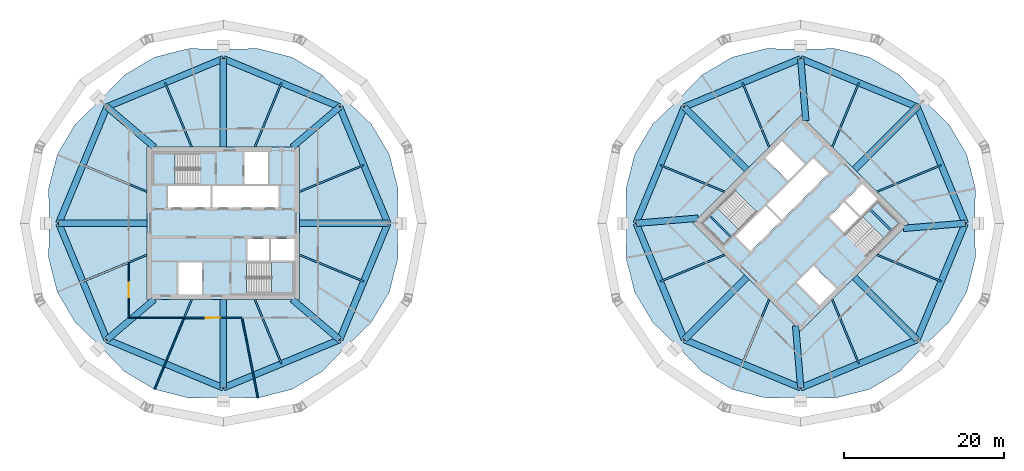
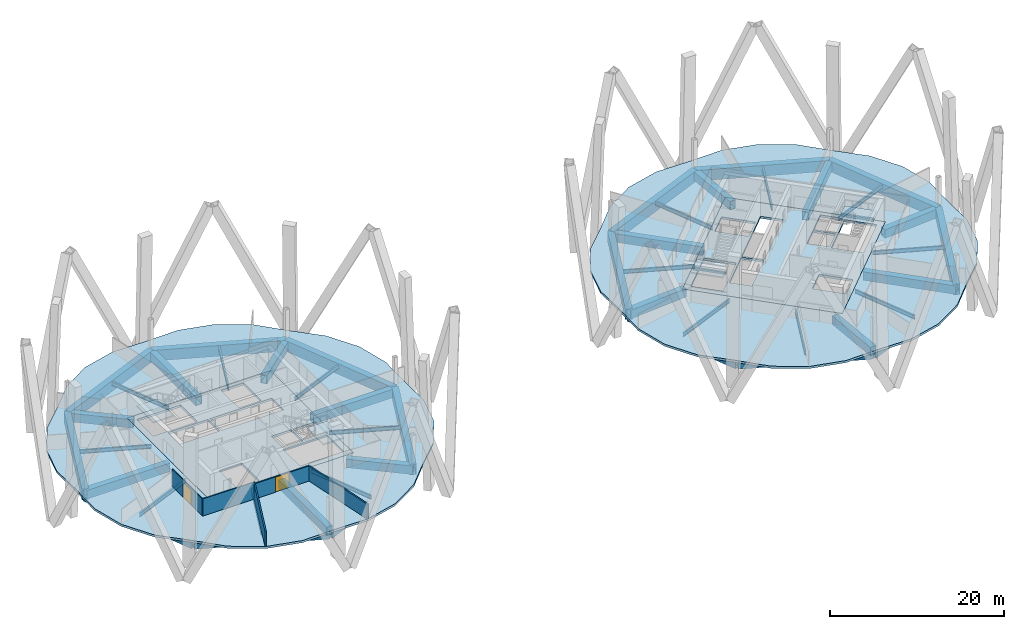
# One storey, part 3 of 10: 50 beams, 8 slabs, 5 walls, 2 doors, 2 openings, 4 elements without a shape of their own.
"""IFC4 building model written with IfcOpenShell, lengths in metres."""

from ifc_helpers import new_model, si_unit, direction, frame, frame_2d, origin, origin_2d, place, context, subcontext, project, spatial, polyline, rectangle, hollow_rectangle, i_section, outline, extrude, material, layer, layer_set, material_profile, profile_set, type_object, element, fill, aggregate, save


model = new_model("IFC4")

# Units and contexts
model_context = context("Model", 3, precision=1e-05, world=origin(), true_north=direction((0.0, 1.0)))
body_context = subcontext(model_context, "Body", "Model", "MODEL_VIEW")
ifc_project = project(units=[si_unit("LENGTHUNIT", "METRE"), si_unit("AREAUNIT", "SQUARE_METRE"), si_unit("VOLUMEUNIT", "CUBIC_METRE"), si_unit("PLANEANGLEUNIT", "RADIAN"), si_unit("MASSUNIT", "GRAM", prefix="KILO")], contexts=[model_context])

# Site, building, storey
site_placement = place(None, origin())
site = spatial("IfcSite", under=ifc_project, at=site_placement, CompositionType="ELEMENT")
building_placement = place(site_placement, origin())
building = spatial("IfcBuilding", under=site, at=building_placement, Name="Ogive Gate Towers", CompositionType="ELEMENT")
storey_placement = place(building_placement, frame((0.0, 0.0, 185.10009765625)))
storey = spatial("IfcBuildingStorey", under=building, at=storey_placement, Name="L44", CompositionType="ELEMENT", Elevation=185.10009765625)

# Beams
ifc_material_1 = material(Name="Steel SM460", Category="steel")
ifc_material_profile_1 = material_profile(ifc_material_1, hollow_rectangle(XDim=0.800048828125, YDim=1.5, WallThickness=0.06005859375, at=origin_2d()), Name="BX 1500x800x60")
ifc_profile_set_1 = profile_set([ifc_material_profile_1], Name="Steel SM460")
beam_type_1 = type_object("IfcBeamType", Name="Edge girder BX 1500x800x60", PredefinedType="BEAM", material=ifc_profile_set_1)
for number, where, z_axis, x_axis, name in (
    (1, (-50.509765625, -14.509765625, -1.050048828125), (0.923877006731, -0.38268953008, 0.0), (0.38268953008, 0.923877006731, 0.0), "T1/L44/SBM017"),
    (2, (-36.0, -20.52001953125, -1.050048828125), (0.923877006731, 0.38268953008, 0.0), (-0.38268953008, 0.923877006731, 0.0), "T1/L44/SBM018"),
    (3, (-21.490234375, -14.509765625, -1.050048828125), (0.38268953008, 0.923877006731, 0.0), (-0.923877006731, 0.38268953008, 0.0), "T1/L44/SBM019"),
    (4, (-15.47998046875, 0.0, -1.050048828125), (-0.38268953008, 0.923877006731, 0.0), (-0.923877006731, -0.38268953008, 0.0), "T1/L44/SBM020"),
    (5, (-21.490234375, 14.509765625, -1.050048828125), (-0.923877006731, 0.38268953008, 0.0), (-0.38268953008, -0.923877006731, 0.0), "T1/L44/SBM021"),
    (6, (-36.0, 20.52001953125, -1.050048828125), (-0.923877006731, -0.38268953008, 0.0), (0.38268953008, -0.923877006731, 0.0), "T1/L44/SBM022"),
    (7, (-50.509765625, 14.509765625, -1.050048828125), (-0.38268953008, -0.923877006731, 0.0), (0.923877006731, -0.38268953008, 0.0), "T1/L44/SBM023"),
    (8, (-56.52001953125, 0.0, -1.050048828125), (0.38268953008, -0.923877006731, 0.0), (0.923877006731, 0.38268953008, 0.0), "T1/L44/SBM024"),
    (9, (21.490234375, -14.509765625, -1.050048828125), (0.923877006731, -0.38268953008, 0.0), (0.38268953008, 0.923877006731, 0.0), "T2/L44/SBM017"),
    (10, (36.0, -20.52001953125, -1.050048828125), (0.923877006731, 0.38268953008, 0.0), (-0.38268953008, 0.923877006731, 0.0), "T2/L44/SBM018"),
    (11, (50.509765625, -14.509765625, -1.050048828125), (0.38268953008, 0.923877006731, 0.0), (-0.923877006731, 0.38268953008, 0.0), "T2/L44/SBM019"),
    (12, (56.52001953125, 0.0, -1.050048828125), (-0.38268953008, 0.923877006731, 0.0), (-0.923877006731, -0.38268953008, 0.0), "T2/L44/SBM020"),
    (13, (50.509765625, 14.509765625, -1.050048828125), (-0.923877006731, 0.38268953008, 0.0), (-0.38268953008, -0.923877006731, 0.0), "T2/L44/SBM021"),
    (14, (36.0, 20.52001953125, -1.050048828125), (-0.923877006731, -0.38268953008, 0.0), (0.38268953008, -0.923877006731, 0.0), "T2/L44/SBM022"),
    (15, (21.490234375, 14.509765625, -1.050048828125), (-0.38268953008, -0.923877006731, 0.0), (0.923877006731, -0.38268953008, 0.0), "T2/L44/SBM023"),
    (16, (15.47998046875, 0.0, -1.050048828125), (0.38268953008, -0.923877006731, 0.0), (0.923877006731, 0.38268953008, 0.0), "T2/L44/SBM024"),
):
    element("IfcBeam", number, at=place(storey_placement, frame(where, z_axis=z_axis, x_axis=x_axis)), inside=storey, type_object=beam_type_1, Name=name, PredefinedType="BEAM", context=body_context, shape_type="SweptSolid", body=[
        extrude(hollow_rectangle(XDim=0.800048828125, YDim=1.5, WallThickness=0.06005859375, at=origin_2d()), origin(), (0.0, 0.0, 1.0), 15.705322265625),
    ])
ifc_material_2 = material(Name="Concrete C40/50", Category="concrete")
ifc_material_profile_2 = material_profile(ifc_material_2, rectangle(XDim=0.25, YDim=0.300048828125, at=origin_2d()), Name="RC 250x300")
ifc_profile_set_2 = profile_set([ifc_material_profile_2], Name="Concrete C40/50")
beam_type_2 = type_object("IfcBeamType", Name="Landing bearer RC 250x300", PredefinedType="BEAM", material=ifc_profile_set_2)
for number, where, z_axis, x_axis, name in (
    (17, (24.650390625, 0.9541015625, 1.599853515625), (0.707106781187, -0.707106781187, 0.0), (0.707106781187, 0.707106781187, 0.0), "T2 L44 stair 1 landing bearer 1"),
    (18, (47.349609375, -0.9541015625, 1.599853515625), (-0.707106781187, 0.707106781187, 0.0), (-0.707106781187, -0.707106781187, 0.0), "T2 L44 stair 2 landing bearer 1"),
):
    element("IfcBeam", number, at=place(storey_placement, frame(where, z_axis=z_axis, x_axis=x_axis)), inside=storey, type_object=beam_type_2, Name=name, PredefinedType="BEAM", context=body_context, shape_type="SweptSolid", body=[
        extrude(rectangle(XDim=0.25, YDim=0.300048828125, at=origin_2d()), origin(), (0.0, 0.0, 1.0), 3.824951171875),
    ])
ifc_material_3 = material(Name="Steel SM355", Category="steel")
ifc_material_profile_3 = material_profile(ifc_material_3, i_section(OverallWidth=0.2099609375, OverallDepth=0.550048828125, WebThickness=0.010986328125, FlangeThickness=0.01708984375, FilletRadius=0.02392578125, at=origin_2d()), Name="IPE 550")
ifc_profile_set_3 = profile_set([ifc_material_profile_3], Name="Steel SM355")
beam_type_3 = type_object("IfcBeamType", Name="Radial floor beam IPE 550", PredefinedType="BEAM", material=ifc_profile_set_3)
for number, where, z_axis, x_axis, name in (
    (19, (-39.93505859375, -9.5, -0.5751953125), (-0.382678218882, -0.92388169199, 0.0), (0.92388169199, -0.382678218882, 0.0), "T1/L44/SBM002"),
    (20, (-32.06494140625, -9.5, -0.5751953125), (0.382678218882, -0.92388169199, 0.0), (0.92388169199, 0.382678218882, 0.0), "T1/L44/SBM004"),
    (21, (-26.5, -3.93505859375, -0.5751953125), (0.92388169199, -0.382678218882, 0.0), (0.382678218882, 0.92388169199, 0.0), "T1/L44/SBM006"),
    (22, (-26.5, 3.93505859375, -0.5751953125), (0.92388169199, 0.382678218882, 0.0), (-0.382678218882, 0.92388169199, 0.0), "T1/L44/SBM008"),
    (23, (-32.06494140625, 9.5, -0.5751953125), (0.382678218882, 0.92388169199, 0.0), (-0.92388169199, 0.382678218882, 0.0), "T1/L44/SBM010"),
    (24, (-39.93505859375, 9.5, -0.5751953125), (-0.382678218882, 0.92388169199, 0.0), (-0.92388169199, -0.382678218882, 0.0), "T1/L44/SBM012"),
    (25, (-45.5, 3.93505859375, -0.5751953125), (-0.92388169199, 0.382678218882, 0.0), (-0.382678218882, -0.92388169199, 0.0), "T1/L44/SBM014"),
    (26, (-45.5, -3.93505859375, -0.5751953125), (-0.92388169199, -0.382678218882, 0.0), (0.382678218882, -0.92388169199, 0.0), "T1/L44/SBM016"),
    (27, (32.06494140625, -9.5, -0.5751953125), (-0.382678218882, -0.92388169199, 0.0), (0.92388169199, -0.382678218882, 0.0), "T2/L44/SBM002"),
    (28, (39.93505859375, -9.5, -0.5751953125), (0.382678218882, -0.92388169199, 0.0), (0.92388169199, 0.382678218882, 0.0), "T2/L44/SBM004"),
    (29, (45.5, -3.93505859375, -0.5751953125), (0.92388169199, -0.382678218882, 0.0), (0.382678218882, 0.92388169199, 0.0), "T2/L44/SBM006"),
    (30, (45.5, 3.93505859375, -0.5751953125), (0.92388169199, 0.382678218882, 0.0), (-0.382678218882, 0.92388169199, 0.0), "T2/L44/SBM008"),
    (31, (39.93505859375, 9.5, -0.5751953125), (0.382678218882, 0.92388169199, 0.0), (-0.92388169199, 0.382678218882, 0.0), "T2/L44/SBM010"),
    (32, (32.06494140625, 9.5, -0.5751953125), (-0.382678218882, 0.92388169199, 0.0), (-0.92388169199, -0.382678218882, 0.0), "T2/L44/SBM012"),
    (33, (26.5, 3.93505859375, -0.5751953125), (-0.92388169199, 0.382678218882, 0.0), (-0.382678218882, -0.92388169199, 0.0), "T2/L44/SBM014"),
    (34, (26.5, -3.93505859375, -0.5751953125), (-0.92388169199, -0.382678218882, 0.0), (0.382678218882, -0.92388169199, 0.0), "T2/L44/SBM016"),
):
    element("IfcBeam", number, at=place(storey_placement, frame(where, z_axis=z_axis, x_axis=x_axis)), inside=storey, type_object=beam_type_3, Name=name, PredefinedType="BEAM", context=body_context, shape_type="SweptSolid", body=[
        extrude(i_section(OverallWidth=0.2099609375, OverallDepth=0.550048828125, WebThickness=0.010986328125, FlangeThickness=0.01708984375, FilletRadius=0.02392578125, at=origin_2d()), origin(), (0.0, 0.0, 1.0), 8.67529296875),
    ])
ifc_material_profile_4 = material_profile(ifc_material_1, hollow_rectangle(XDim=0.800048828125, YDim=1.199951171875, WallThickness=0.050048828125, at=origin_2d()), Name="BX 1200x800x50")
ifc_profile_set_4 = profile_set([ifc_material_profile_4], Name="Steel SM460")
beam_type_4 = type_object("IfcBeamType", Name="Transfer radial beam BX 1200x800x50", PredefinedType="BEAM", material=ifc_profile_set_4)
beam_1_placement = place(storey_placement, frame((-44.60009765625, -9.5, -0.900146484375), z_axis=(-0.762795484328, -0.64663981403, 0.0), x_axis=(0.64663981403, -0.762795484328, 0.0)))
element("IfcBeam", 35, at=beam_1_placement, inside=storey, type_object=beam_type_4, Name="T1/L44/SBM001", PredefinedType="BEAM", context=body_context, shape_type="SweptSolid", body=[
    extrude(hollow_rectangle(XDim=0.800048828125, YDim=1.199951171875, WallThickness=0.050048828125, at=origin_2d()), origin(), (0.0, 0.0, 1.0), 7.747314453125),
])
beam_2_placement = place(storey_placement, frame((-36.0, -9.5, -0.900146484375), z_axis=(0.0, -1.0, 0.0), x_axis=(1.0, 0.0, 0.0)))
element("IfcBeam", 36, at=beam_2_placement, inside=storey, type_object=beam_type_4, Name="T1/L44/SBM003", PredefinedType="BEAM", context=body_context, shape_type="SweptSolid", body=[
    extrude(hollow_rectangle(XDim=0.800048828125, YDim=1.199951171875, WallThickness=0.050048828125, at=origin_2d()), origin(), (0.0, 0.0, 1.0), 11.02001953125),
])
beam_3_placement = place(storey_placement, frame((-27.39990234375, -9.5, -0.900146484375), z_axis=(0.762795484328, -0.64663981403, 0.0), x_axis=(0.64663981403, 0.762795484328, 0.0)))
element("IfcBeam", 37, at=beam_3_placement, inside=storey, type_object=beam_type_4, Name="T1/L44/SBM005", PredefinedType="BEAM", context=body_context, shape_type="SweptSolid", body=[
    extrude(hollow_rectangle(XDim=0.800048828125, YDim=1.199951171875, WallThickness=0.050048828125, at=origin_2d()), origin(), (0.0, 0.0, 1.0), 7.747314453125),
])
beam_4_placement = place(storey_placement, frame((-26.5, 0.0, -0.900146484375), z_axis=(1.0, 0.0, 0.0), x_axis=(0.0, 1.0, 0.0)))
element("IfcBeam", 38, at=beam_4_placement, inside=storey, type_object=beam_type_4, Name="T1/L44/SBM007", PredefinedType="BEAM", context=body_context, shape_type="SweptSolid", body=[
    extrude(hollow_rectangle(XDim=0.800048828125, YDim=1.199951171875, WallThickness=0.050048828125, at=origin_2d()), origin(), (0.0, 0.0, 1.0), 11.02001953125),
])
beam_5_placement = place(storey_placement, frame((-27.39990234375, 9.5, -0.900146484375), z_axis=(0.762795484328, 0.64663981403, 0.0), x_axis=(-0.64663981403, 0.762795484328, 0.0)))
element("IfcBeam", 39, at=beam_5_placement, inside=storey, type_object=beam_type_4, Name="T1/L44/SBM009", PredefinedType="BEAM", context=body_context, shape_type="SweptSolid", body=[
    extrude(hollow_rectangle(XDim=0.800048828125, YDim=1.199951171875, WallThickness=0.050048828125, at=origin_2d()), origin(), (0.0, 0.0, 1.0), 7.747314453125),
])
beam_6_placement = place(storey_placement, frame((-36.0, 9.5, -0.900146484375), z_axis=(0.0, 1.0, 0.0), x_axis=(-1.0, 0.0, 0.0)))
element("IfcBeam", 40, at=beam_6_placement, inside=storey, type_object=beam_type_4, Name="T1/L44/SBM011", PredefinedType="BEAM", context=body_context, shape_type="SweptSolid", body=[
    extrude(hollow_rectangle(XDim=0.800048828125, YDim=1.199951171875, WallThickness=0.050048828125, at=origin_2d()), origin(), (0.0, 0.0, 1.0), 11.02001953125),
])
beam_7_placement = place(storey_placement, frame((-44.60009765625, 9.5, -0.900146484375), z_axis=(-0.762795484328, 0.64663981403, 0.0), x_axis=(-0.64663981403, -0.762795484328, 0.0)))
element("IfcBeam", 41, at=beam_7_placement, inside=storey, type_object=beam_type_4, Name="T1/L44/SBM013", PredefinedType="BEAM", context=body_context, shape_type="SweptSolid", body=[
    extrude(hollow_rectangle(XDim=0.800048828125, YDim=1.199951171875, WallThickness=0.050048828125, at=origin_2d()), origin(), (0.0, 0.0, 1.0), 7.747314453125),
])
beam_8_placement = place(storey_placement, frame((-45.5, 0.0, -0.900146484375), z_axis=(-1.0, 0.0, 0.0), x_axis=(0.0, -1.0, 0.0)))
element("IfcBeam", 42, at=beam_8_placement, inside=storey, type_object=beam_type_4, Name="T1/L44/SBM015", PredefinedType="BEAM", context=body_context, shape_type="SweptSolid", body=[
    extrude(hollow_rectangle(XDim=0.800048828125, YDim=1.199951171875, WallThickness=0.050048828125, at=origin_2d()), origin(), (0.0, 0.0, 1.0), 11.02001953125),
])
beam_9_placement = place(storey_placement, frame((29.282470703125, -6.717529296875, -0.900146484375), z_axis=(-0.707106781187, -0.707106781187, 0.0), x_axis=(0.707106781187, -0.707106781187, 0.0)))
element("IfcBeam", 43, at=beam_9_placement, inside=storey, type_object=beam_type_4, Name="T2/L44/SBM001", PredefinedType="BEAM", context=body_context, shape_type="SweptSolid", body=[
    extrude(hollow_rectangle(XDim=0.800048828125, YDim=1.199951171875, WallThickness=0.050048828125, at=origin_2d()), origin(), (0.0, 0.0, 1.0), 11.019775390625),
])
beam_10_placement = place(storey_placement, frame((35.363525390625, -12.798583984375, -0.900146484375), z_axis=(0.082150949336, -0.996619898218, 0.0), x_axis=(0.996619898218, 0.082150949336, 0.0)))
element("IfcBeam", 44, at=beam_10_placement, inside=storey, type_object=beam_type_4, Name="T2/L44/SBM003", PredefinedType="BEAM", context=body_context, shape_type="SweptSolid", body=[
    extrude(hollow_rectangle(XDim=0.800048828125, YDim=1.199951171875, WallThickness=0.050048828125, at=origin_2d()), origin(), (0.0, 0.0, 1.0), 7.74755859375),
])
beam_11_placement = place(storey_placement, frame((42.717529296875, -6.717529296875, -0.900146484375), z_axis=(0.707106781187, -0.707106781187, 0.0), x_axis=(0.707106781187, 0.707106781187, 0.0)))
element("IfcBeam", 45, at=beam_11_placement, inside=storey, type_object=beam_type_4, Name="T2/L44/SBM005", PredefinedType="BEAM", context=body_context, shape_type="SweptSolid", body=[
    extrude(hollow_rectangle(XDim=0.800048828125, YDim=1.199951171875, WallThickness=0.050048828125, at=origin_2d()), origin(), (0.0, 0.0, 1.0), 11.019775390625),
])
beam_12_placement = place(storey_placement, frame((48.798583984375, -0.636474609375, -0.900146484375), z_axis=(0.996619898218, 0.082150949336, 0.0), x_axis=(-0.082150949336, 0.996619898218, 0.0)))
element("IfcBeam", 46, at=beam_12_placement, inside=storey, type_object=beam_type_4, Name="T2/L44/SBM007", PredefinedType="BEAM", context=body_context, shape_type="SweptSolid", body=[
    extrude(hollow_rectangle(XDim=0.800048828125, YDim=1.199951171875, WallThickness=0.050048828125, at=origin_2d()), origin(), (0.0, 0.0, 1.0), 7.74755859375),
])
beam_13_placement = place(storey_placement, frame((42.717529296875, 6.717529296875, -0.900146484375), z_axis=(0.707106781187, 0.707106781187, 0.0), x_axis=(-0.707106781187, 0.707106781187, 0.0)))
element("IfcBeam", 47, at=beam_13_placement, inside=storey, type_object=beam_type_4, Name="T2/L44/SBM009", PredefinedType="BEAM", context=body_context, shape_type="SweptSolid", body=[
    extrude(hollow_rectangle(XDim=0.800048828125, YDim=1.199951171875, WallThickness=0.050048828125, at=origin_2d()), origin(), (0.0, 0.0, 1.0), 11.019775390625),
])
beam_14_placement = place(storey_placement, frame((36.636474609375, 12.798583984375, -0.900146484375), z_axis=(-0.082150949336, 0.996619898218, 0.0), x_axis=(-0.996619898218, -0.082150949336, 0.0)))
element("IfcBeam", 48, at=beam_14_placement, inside=storey, type_object=beam_type_4, Name="T2/L44/SBM011", PredefinedType="BEAM", context=body_context, shape_type="SweptSolid", body=[
    extrude(hollow_rectangle(XDim=0.800048828125, YDim=1.199951171875, WallThickness=0.050048828125, at=origin_2d()), origin(), (0.0, 0.0, 1.0), 7.74755859375),
])
beam_15_placement = place(storey_placement, frame((29.282470703125, 6.717529296875, -0.900146484375), z_axis=(-0.707106781187, 0.707106781187, 0.0), x_axis=(-0.707106781187, -0.707106781187, 0.0)))
element("IfcBeam", 49, at=beam_15_placement, inside=storey, type_object=beam_type_4, Name="T2/L44/SBM013", PredefinedType="BEAM", context=body_context, shape_type="SweptSolid", body=[
    extrude(hollow_rectangle(XDim=0.800048828125, YDim=1.199951171875, WallThickness=0.050048828125, at=origin_2d()), origin(), (0.0, 0.0, 1.0), 11.019775390625),
])
beam_16_placement = place(storey_placement, frame((23.201416015625, 0.636474609375, -0.900146484375), z_axis=(-0.996619898218, -0.082150949336, 0.0), x_axis=(0.082150949336, -0.996619898218, 0.0)))
element("IfcBeam", 50, at=beam_16_placement, inside=storey, type_object=beam_type_4, Name="T2/L44/SBM015", PredefinedType="BEAM", context=body_context, shape_type="SweptSolid", body=[
    extrude(hollow_rectangle(XDim=0.800048828125, YDim=1.199951171875, WallThickness=0.050048828125, at=origin_2d()), origin(), (0.0, 0.0, 1.0), 7.74755859375),
])

# Slabs
ifc_layer_1 = layer(ifc_material_2, 0.300048828125)
ifc_layer_set_1 = layer_set([ifc_layer_1], Name="Core slab C40/50 300 mm")
slab_type_1 = type_object("IfcSlabType", Name="Core slab C40/50 300 mm", PredefinedType="FLOOR", material=ifc_layer_set_1)
slab_1_placement = place(storey_placement, frame((0.0, 0.0, -0.300048828125)))
element("IfcSlab", 51, at=slab_1_placement, inside=storey, type_object=slab_type_1, Name="T1 L44 core slab", PredefinedType="FLOOR", context=body_context, shape_type="SweptSolid", body=[
    extrude(outline(polyline([(-45.5, -9.5), (-45.5, 9.5), (-26.5, 9.5), (-26.5, -9.5), (-45.5, -9.5)]), holes=[polyline([(-42.875, 1.949951171875), (-37.574951171875, 1.949951171875), (-37.574951171875, 4.625), (-42.875, 4.625), (-42.875, 1.949951171875)]), polyline([(-37.324951171875, 4.625), (-37.324951171875, 1.949951171875), (-29.125, 1.949951171875), (-29.125, 4.625), (-37.324951171875, 4.625)]), polyline([(-30.324951171875, -1.949951171875), (-32.97509765625, -1.949951171875), (-32.97509765625, -4.625), (-30.324951171875, -4.625), (-30.324951171875, -1.949951171875)]), polyline([(-27.10009765625, -4.625), (-27.10009765625, -1.949951171875), (-30.074951171875, -1.949951171875), (-30.074951171875, -4.625), (-27.10009765625, -4.625)]), polyline([(-33.375, 4.875), (-30.425048828125, 4.875), (-30.425048828125, 8.89990234375), (-33.375, 8.89990234375), (-33.375, 4.875)]), polyline([(-41.574951171875, -4.875), (-41.574951171875, -8.89990234375), (-38.625, -8.89990234375), (-38.625, -4.875), (-41.574951171875, -4.875)]), polyline([(-44.699951171875, 4.875), (-38.885009765625, 4.875), (-38.885009765625, 8.699951171875), (-44.699951171875, 8.699951171875), (-44.699951171875, 4.875)]), polyline([(-27.300048828125, -8.699951171875), (-27.300048828125, -4.875), (-33.114990234375, -4.875), (-33.114990234375, -8.699951171875), (-27.300048828125, -8.699951171875)])]), origin(), (0.0, 0.0, 1.0), 0.300048828125),
])
slab_2_placement = place(storey_placement, frame((0.0, 0.0, -0.300048828125)))
element("IfcSlab", 52, at=slab_2_placement, inside=storey, type_object=slab_type_1, Name="T2 L44 core slab", PredefinedType="FLOOR", context=body_context, shape_type="SweptSolid", body=[
    extrude(outline(polyline([(36.0, -13.43505859375), (22.56494140625, 0.0), (36.0, 13.43505859375), (49.43505859375, 0.0), (36.0, -13.43505859375)]), holes=[polyline([(29.759765625, -3.482421875), (33.50732421875, 0.26513671875), (31.615966796875, 2.15673828125), (27.868408203125, -1.591064453125), (29.759765625, -3.482421875)]), polyline([(31.792724609375, 2.33349609375), (33.68408203125, 0.44189453125), (39.482421875, 6.240234375), (37.591064453125, 8.131591796875), (31.792724609375, 2.33349609375)]), polyline([(41.3916015625, 2.634033203125), (39.517822265625, 0.760009765625), (41.409423828125, -1.13134765625), (43.283203125, 0.742431640625), (41.3916015625, 2.634033203125)]), polyline([(45.563720703125, 3.02294921875), (43.672119140625, 4.914306640625), (41.568603515625, 2.810791015625), (43.4599609375, 0.919189453125), (45.563720703125, 3.02294921875)]), polyline([(34.408935546875, 5.30322265625), (36.4951171875, 7.389404296875), (33.64892578125, 10.2353515625), (31.56298828125, 8.1494140625), (34.408935546875, 5.30322265625)]), polyline([(35.5048828125, -7.389404296875), (38.35107421875, -10.2353515625), (40.43701171875, -8.1494140625), (37.591064453125, -5.30322265625), (35.5048828125, -7.389404296875)]), polyline([(26.40087890625, -2.70458984375), (30.512939453125, 1.406982421875), (27.80810546875, 4.11181640625), (23.6962890625, 0.0), (26.40087890625, -2.70458984375)]), polyline([(48.3037109375, 0.0), (45.59912109375, 2.70458984375), (41.487060546875, -1.406982421875), (44.19189453125, -4.11181640625), (48.3037109375, 0.0)])]), origin(), (0.0, 0.0, 1.0), 0.300048828125),
])
ifc_material_4 = material(Name="Concrete C35/45", Category="concrete")
ifc_layer_2 = layer(ifc_material_4, 0.300048828125)
ifc_layer_set_2 = layer_set([ifc_layer_2], Name="Floor slab 300")
slab_type_2 = type_object("IfcSlabType", Name="Floor slab 300", PredefinedType="FLOOR", material=ifc_layer_set_2)
slab_3_placement = place(storey_placement, frame((0.0, 0.0, -0.300048828125)))
element("IfcSlab", 53, at=slab_3_placement, inside=storey, type_object=slab_type_2, Name="T1/L44/SSL001", PredefinedType="FLOOR", context=body_context, shape_type="SweptSolid", body=[
    extrude(outline(polyline([(-14.216796875, -4.3330078125), (-14.2900390625, 0.0), (-14.216796875, 4.3330078125), (-15.2958984375, 8.575927734375), (-17.532958984375, 12.339111328125), (-20.648681640625, 15.351318359375), (-23.660888671875, 18.467041015625), (-27.424072265625, 20.7041015625), (-31.6669921875, 21.783203125), (-36.0, 21.7099609375), (-40.3330078125, 21.783203125), (-44.575927734375, 20.7041015625), (-48.339111328125, 18.467041015625), (-51.351318359375, 15.351318359375), (-54.467041015625, 12.339111328125), (-56.7041015625, 8.575927734375), (-57.783203125, 4.3330078125), (-57.7099609375, 0.0), (-57.783203125, -4.3330078125), (-56.7041015625, -8.575927734375), (-54.467041015625, -12.339111328125), (-51.351318359375, -15.351318359375), (-48.339111328125, -18.467041015625), (-44.575927734375, -20.7041015625), (-40.3330078125, -21.783203125), (-36.0, -21.7099609375), (-31.6669921875, -21.783203125), (-27.424072265625, -20.7041015625), (-23.660888671875, -18.467041015625), (-20.648681640625, -15.351318359375), (-17.532958984375, -12.339111328125), (-15.2958984375, -8.575927734375), (-14.216796875, -4.3330078125)]), holes=[polyline([(-26.5, -9.5), (-45.5, -9.5), (-45.5, 9.5), (-26.5, 9.5), (-26.5, -9.5)])]), origin(), (0.0, 0.0, 1.0), 0.300048828125),
])
slab_4_placement = place(storey_placement, frame((0.0, 0.0, -0.300048828125)))
element("IfcSlab", 54, at=slab_4_placement, inside=storey, type_object=slab_type_2, Name="T2/L44/SSL001", PredefinedType="FLOOR", context=body_context, shape_type="SweptSolid", body=[
    extrude(outline(polyline([(57.783203125, -4.3330078125), (57.7099609375, 0.0), (57.783203125, 4.3330078125), (56.7041015625, 8.575927734375), (54.467041015625, 12.339111328125), (51.351318359375, 15.351318359375), (48.339111328125, 18.467041015625), (44.575927734375, 20.7041015625), (40.3330078125, 21.783203125), (36.0, 21.7099609375), (31.6669921875, 21.783203125), (27.424072265625, 20.7041015625), (23.660888671875, 18.467041015625), (20.648681640625, 15.351318359375), (17.532958984375, 12.339111328125), (15.2958984375, 8.575927734375), (14.216796875, 4.3330078125), (14.2900390625, 0.0), (14.216796875, -4.3330078125), (15.2958984375, -8.575927734375), (17.532958984375, -12.339111328125), (20.648681640625, -15.351318359375), (23.660888671875, -18.467041015625), (27.424072265625, -20.7041015625), (31.6669921875, -21.783203125), (36.0, -21.7099609375), (40.3330078125, -21.783203125), (44.575927734375, -20.7041015625), (48.339111328125, -18.467041015625), (51.351318359375, -15.351318359375), (54.467041015625, -12.339111328125), (56.7041015625, -8.575927734375), (57.783203125, -4.3330078125)]), holes=[polyline([(49.43505859375, 0.0), (36.0, -13.43505859375), (22.56494140625, 0.0), (36.0, 13.43505859375), (49.43505859375, 0.0)])]), origin(), (0.0, 0.0, 1.0), 0.300048828125),
])

# Stair, slab
stair_type = type_object("IfcStairType", Name="Escape stair 1840 wide", PredefinedType="HALF_TURN_STAIR", material=ifc_material_2)
stair_1_placement = place(storey_placement, origin())
stair_1 = element("IfcStair", 55, at=stair_1_placement, inside=storey, type_object=stair_type, Name="L44 Escape stair 1", PredefinedType="HALF_TURN_STAIR")
ifc_layer_3 = layer(ifc_material_2, 0.199951171875)
ifc_layer_set_3 = layer_set([ifc_layer_3], Name="Stair landing 200 mm")
slab_type_3 = type_object("IfcSlabType", Name="Stair landing 200 mm", PredefinedType="LANDING", material=ifc_layer_set_3)
slab_5_placement = place(storey_placement, frame((0.0, 0.0, 1.75)))
slab_5 = element("IfcSlab", 56, at=slab_5_placement, type_object=slab_type_3, Name="ST1 landing 1", PredefinedType="LANDING", context=body_context, shape_type="SweptSolid", body=[
    extrude(outline(polyline([(-42.00146484375, 8.699951171875), (-44.699951171875, 8.699951171875), (-44.699951171875, 4.875), (-42.00146484375, 4.875), (-42.00146484375, 8.699951171875)])), origin(), (0.0, 0.0, 1.0), 0.199951171875),
])
aggregate(stair_1, [slab_5])

stair_2_placement = place(storey_placement, origin())
stair_2 = element("IfcStair", 57, at=stair_2_placement, inside=storey, type_object=stair_type, Name="L44 Escape stair 2", PredefinedType="HALF_TURN_STAIR")
slab_6_placement = place(storey_placement, frame((0.0, 0.0, 1.75)))
slab_6 = element("IfcSlab", 58, at=slab_6_placement, type_object=slab_type_3, Name="ST2 landing 1", PredefinedType="LANDING", context=body_context, shape_type="SweptSolid", body=[
    extrude(outline(polyline([(-29.99853515625, -8.699951171875), (-27.300048828125, -8.699951171875), (-27.300048828125, -4.875), (-29.99853515625, -4.875), (-29.99853515625, -8.699951171875)])), origin(), (0.0, 0.0, 1.0), 0.199951171875),
])
aggregate(stair_2, [slab_6])

stair_3_placement = place(storey_placement, origin())
stair_3 = element("IfcStair", 59, at=stair_3_placement, inside=storey, type_object=stair_type, Name="L44 Escape stair 1", PredefinedType="HALF_TURN_STAIR")
slab_7_placement = place(storey_placement, frame((0.0, 0.0, 1.75)))
slab_7 = element("IfcSlab", 60, at=slab_7_placement, type_object=slab_type_3, Name="ST1 landing 1", PredefinedType="LANDING", context=body_context, shape_type="SweptSolid", body=[
    extrude(outline(polyline([(25.6044921875, 1.908203125), (23.6962890625, 0.0), (26.401123046875, -2.70458984375), (28.309326171875, -0.79638671875), (25.6044921875, 1.908203125)])), origin(), (0.0, 0.0, 1.0), 0.199951171875),
])
aggregate(stair_3, [slab_7])

stair_4_placement = place(storey_placement, origin())
stair_4 = element("IfcStair", 61, at=stair_4_placement, inside=storey, type_object=stair_type, Name="L44 Escape stair 2", PredefinedType="HALF_TURN_STAIR")
slab_8_placement = place(storey_placement, frame((0.0, 0.0, 1.75)))
slab_8 = element("IfcSlab", 62, at=slab_8_placement, type_object=slab_type_3, Name="ST2 landing 1", PredefinedType="LANDING", context=body_context, shape_type="SweptSolid", body=[
    extrude(outline(polyline([(46.3955078125, -1.908203125), (48.3037109375, 0.0), (45.598876953125, 2.70458984375), (43.690673828125, 0.79638671875), (46.3955078125, -1.908203125)])), origin(), (0.0, 0.0, 1.0), 0.199951171875),
])
aggregate(stair_4, [slab_8])

# Walls
ifc_material_5 = material(Name="Gypsum board acoustic partition")
ifc_layer_4 = layer(ifc_material_5, 0.175048828125)
ifc_layer_set_4 = layer_set([ifc_layer_4], Name="Acoustic partition 175")
wall_type_1 = type_object("IfcWallType", Name="Acoustic partition 175", PredefinedType="PARTITIONING", material=ifc_layer_set_4)
wall_1_placement = place(storey_placement, frame((-44.575927734375, -20.7041015625, 0.0), z_axis=(0.0, 0.0, 1.0), x_axis=(0.382681795271, 0.923880210616, 0.0)))
element("IfcWall", 63, at=wall_1_placement, inside=storey, type_object=wall_type_1, Name="Partition T1-L44-007", PredefinedType="PARTITIONING", context=body_context, shape_type="SweptSolid", body=[
    extrude(rectangle(XDim=9.561279296875, YDim=0.175048828125, at=frame_2d((4.78076171875, 0.0))), origin(), (0.0, 0.0, 1.0), 2.099853515625),
])
wall_2_placement = place(storey_placement, frame((-31.675048828125, -21.784423828125, 0.0), z_axis=(0.0, 0.0, 1.0), x_axis=(-0.194727613988, 0.9808573578, 0.0)))
element("IfcWall", 64, at=wall_2_placement, inside=storey, type_object=wall_type_1, Name="Partition T1-L44-008", PredefinedType="PARTITIONING", context=body_context, shape_type="SweptSolid", body=[
    extrude(rectangle(XDim=10.111572265625, YDim=0.175048828125, at=frame_2d((5.0556640625, 0.0))), origin(), (0.0, 0.0, 1.0), 2.099853515625),
])

# Wall, opening, door
wall_3_placement = place(storey_placement, frame((-40.88330078125, -11.789794921875, 0.0), z_axis=(0.0, 0.0, 1.0), x_axis=(0.9999992178, 0.001250759619, 0.0)))
wall_3 = element("IfcWall", 65, at=wall_3_placement, inside=storey, type_object=wall_type_1, Name="Partition T1-L44-019", PredefinedType="PARTITIONING", context=body_context, shape_type="SweptSolid", body=[
    extrude(rectangle(XDim=7.22216796875, YDim=0.175048828125, at=frame_2d((3.611083984375, 0.0))), origin(), (0.0, 0.0, 1.0), 2.139892578125),
])
opening_1_placement = place(wall_3_placement, frame((2.7109375, 0.0, 0.0)))
opening_1 = element("IfcOpeningElement", 66, at=opening_1_placement, cuts=wall_3, Name="Opening T1-L44-D08", PredefinedType="OPENING", context=body_context, shape_type="SweptSolid", body=[
    extrude(rectangle(XDim=1.800048828125, YDim=2.10009765625, at=frame_2d((0.89990234375, 1.050048828125))), frame((0.0, 0.09765625, 0.0), z_axis=(0.0, -1.0, 0.0), x_axis=(1.0, 0.0, 0.0)), (0.0, 0.0, 1.0), 0.195068359375),
])
ifc_material_6 = material(Name="Timber door", Category="wood")
door_type = type_object("IfcDoorType", Name="Door pair 1800", OperationType="NOTDEFINED", PredefinedType="DOOR", material=ifc_material_6)
door_1_placement = place(opening_1_placement, origin())
door_1 = element("IfcDoor", 67, at=door_1_placement, inside=storey, type_object=door_type, Name="Door T1-L44-D08", OperationType="DOUBLE_DOOR_DOUBLE_SWING", OverallHeight=2.10009765625, OverallWidth=1.800048828125, PredefinedType="DOOR", context=body_context, shape_type="SweptSolid", body=[
    extrude(rectangle(XDim=1.800048828125, YDim=2.10009765625, at=frame_2d((0.89990234375, 1.050048828125))), frame((0.0, 0.02490234375, 0.0), z_axis=(0.0, -1.0, 0.0), x_axis=(1.0, 0.0, 0.0)), (0.0, 0.0, 1.0), 0.050048828125),
])
fill(opening_1, door_1)

ifc_material_7 = material(Name="Gypsum board partition")
ifc_layer_5 = layer(ifc_material_7, 0.125)
ifc_layer_set_5 = layer_set([ifc_layer_5], Name="Partition 125")
wall_type_2 = type_object("IfcWallType", Name="Partition 125", PredefinedType="PARTITIONING", material=ifc_layer_set_5)
wall_4_placement = place(storey_placement, frame((-47.789794921875, -4.88330078125, 0.0), z_axis=(0.0, 0.0, 1.0), x_axis=(0.001415977907, -0.999998997503, 0.0)))
wall_4 = element("IfcWall", 68, at=wall_4_placement, inside=storey, type_object=wall_type_2, Name="Partition T1-L44-017", PredefinedType="PARTITIONING", context=body_context, shape_type="SweptSolid", body=[
    extrude(rectangle(XDim=6.896728515625, YDim=0.125, at=frame_2d((3.4482421875, 0.0))), origin(), (0.0, 0.0, 1.0), 2.39990234375),
])
opening_2_placement = place(wall_4_placement, frame((2.548095703125, 0.0, 0.0)))
opening_2 = element("IfcOpeningElement", 69, at=opening_2_placement, cuts=wall_4, Name="Opening T1-L44-D07", PredefinedType="OPENING", context=body_context, shape_type="SweptSolid", body=[
    extrude(rectangle(XDim=1.800048828125, YDim=2.10009765625, at=frame_2d((0.89990234375, 1.050048828125))), frame((0.0, 0.072509765625, 0.0), z_axis=(0.0, -1.0, 0.0), x_axis=(1.0, 0.0, 0.0)), (0.0, 0.0, 1.0), 0.14501953125),
])
door_2_placement = place(opening_2_placement, origin())
door_2 = element("IfcDoor", 70, at=door_2_placement, inside=storey, type_object=door_type, Name="Door T1-L44-D07", OperationType="DOUBLE_DOOR_DOUBLE_SWING", OverallHeight=2.10009765625, OverallWidth=1.800048828125, PredefinedType="DOOR", context=body_context, shape_type="SweptSolid", body=[
    extrude(rectangle(XDim=1.800048828125, YDim=2.10009765625, at=frame_2d((0.89990234375, 1.050048828125))), frame((0.0, 0.02490234375, 0.0), z_axis=(0.0, -1.0, 0.0), x_axis=(1.0, 0.0, 0.0)), (0.0, 0.0, 1.0), 0.050048828125),
])
fill(opening_2, door_2)

# Wall
wall_5_placement = place(storey_placement, frame((-47.780029296875, -11.780029296875, 0.0), z_axis=(0.0, 0.0, 1.0), x_axis=(0.999998997503, -0.001415977907, 0.0)))
element("IfcWall", 71, at=wall_5_placement, inside=storey, type_object=wall_type_2, Name="Partition T1-L44-018", PredefinedType="PARTITIONING", context=body_context, shape_type="SweptSolid", body=[
    extrude(rectangle(XDim=6.896728515625, YDim=0.125, at=frame_2d((3.4482421875, 0.0))), origin(), (0.0, 0.0, 1.0), 2.39990234375),
])

save(model, "model.ifc")
